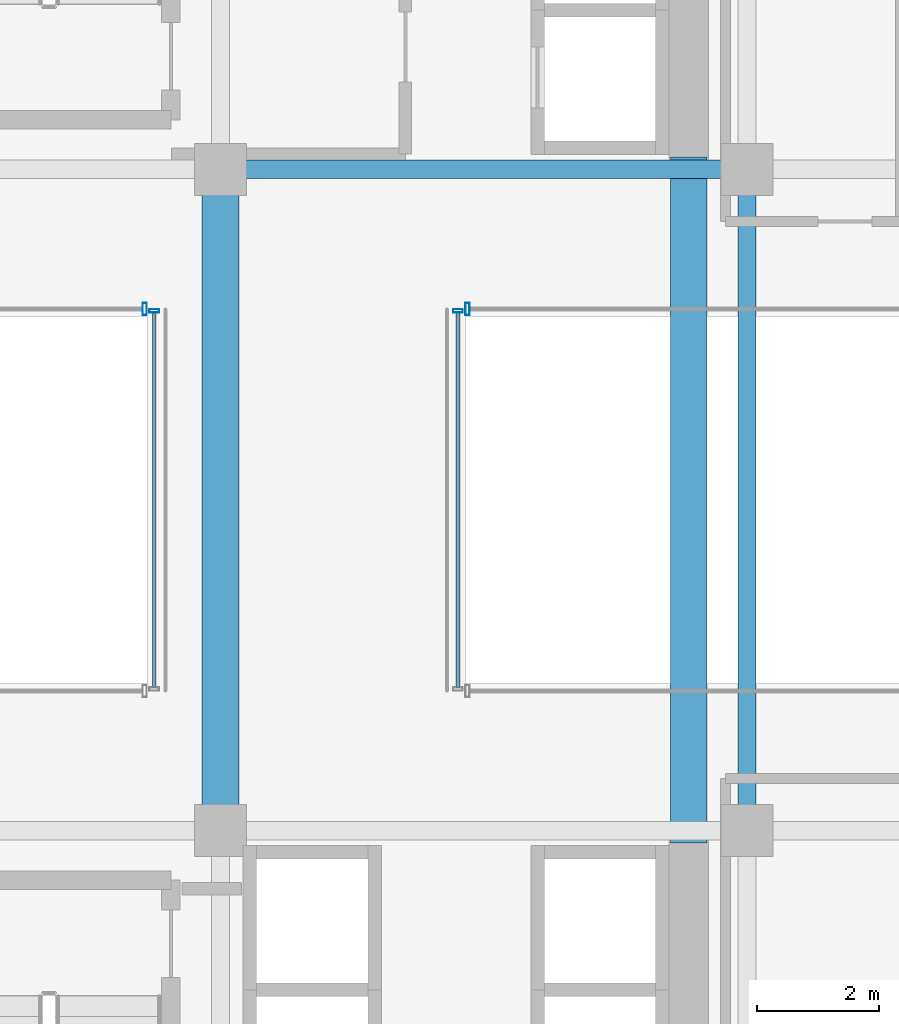
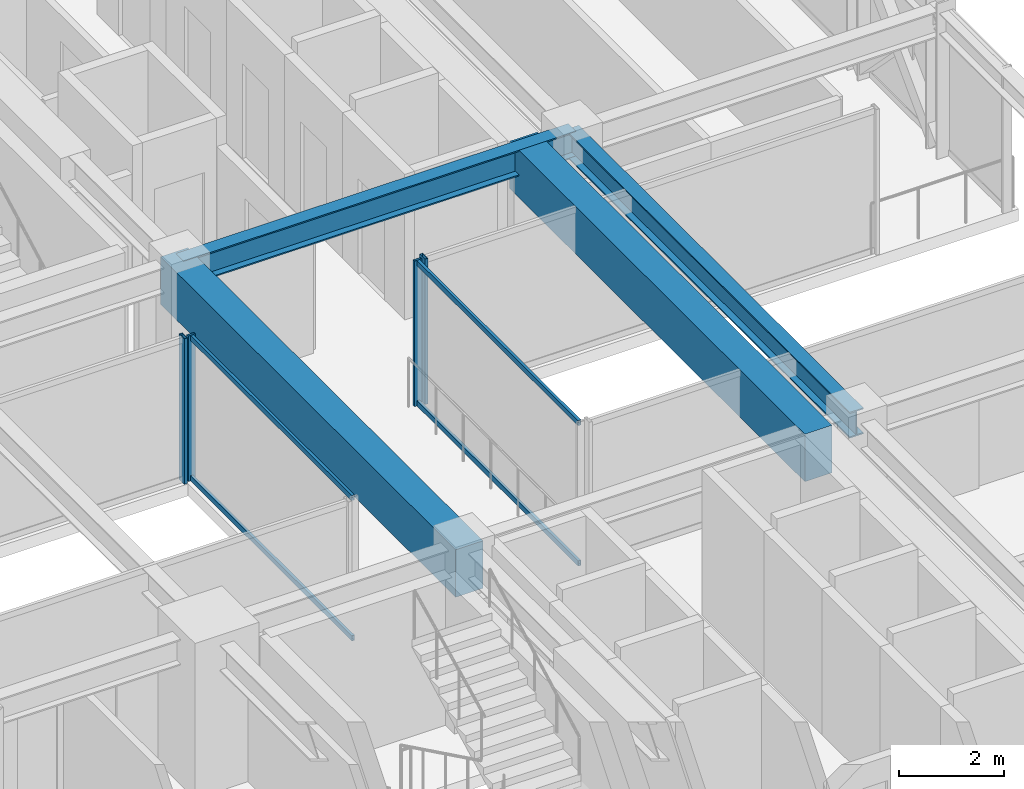
# One storey, part 21 of 47: 8 members, 4 beams, 4 elements without a shape of their own.
"""IFC4 building model written with IfcOpenShell, lengths in metres."""

from ifc_helpers import new_model, si_unit, direction, frame, origin, origin_2d, place, context, subcontext, project, spatial, rectangle, hollow_rectangle, i_section, extrude, source, transform, mapped, material, material_profile, profile_set, type_object, element, aggregate, save


model = new_model("IFC4")

# Units and contexts
model_context = context("Model", 3, precision=1e-05, world=origin(), true_north=direction((0.0, 1.0)))
body_context = subcontext(model_context, "Body", "Model", "MODEL_VIEW")
ifc_project = project(units=[si_unit("LENGTHUNIT", "METRE"), si_unit("AREAUNIT", "SQUARE_METRE"), si_unit("VOLUMEUNIT", "CUBIC_METRE"), si_unit("PLANEANGLEUNIT", "RADIAN"), si_unit("MASSUNIT", "GRAM", prefix="KILO")], contexts=[model_context])

# Site, building, storey
site_placement = place(None, origin())
site = spatial("IfcSite", under=ifc_project, at=site_placement, CompositionType="ELEMENT")
building_placement = place(site_placement, origin())
building = spatial("IfcBuilding", under=site, at=building_placement, Name="Nahalor Promenade Grand Hotel", CompositionType="ELEMENT")
storey_placement = place(building_placement, frame((0.0, 0.0, 68.89990234375)))
storey = spatial("IfcBuildingStorey", under=building, at=storey_placement, Name="L16", CompositionType="ELEMENT", Elevation=68.89990234375)

# Beams
ifc_material_1 = material(Name="Concrete B-60 (C50/60)", Category="concrete")
ifc_material_profile_1 = material_profile(ifc_material_1, rectangle(XDim=0.6, YDim=1.1, at=origin_2d()), Name="RC 600x1100")
ifc_profile_set_1 = profile_set([ifc_material_profile_1], Name="Concrete B-60 (C50/60)")
beam_type_1 = type_object("IfcBeamType", Name="Beam-Lintel-RC1100", PredefinedType="LINTEL", material=ifc_profile_set_1)
shared_shape_1 = source(origin(), body_context, "Body", "SweptSolid", [
    extrude(rectangle(XDim=0.6, YDim=1.1, at=origin_2d()), origin(), (0.0, 0.0, 1.0), 11.2001953125),
])
for number, where, z_axis, x_axis, name in (
    (1, (8.39990234375, -5.60009765625, 2.820068359375), (0.0, 1.0, 0.0), (-1.0, 0.0, 0.0), "BM-L16-LINT-W"),
    (2, (16.050048828125, -5.60009765625, 2.820068359375), (0.0, 1.0, 0.0), (-1.0, 0.0, 0.0), "BM-L16-LINT-E"),
):
    element("IfcBeam", number, at=place(storey_placement, frame(where, z_axis=z_axis, x_axis=x_axis)), inside=storey, type_object=beam_type_1, Name=name, PredefinedType="LINTEL", context=body_context, shape_type="MappedRepresentation", body=[
        mapped(shared_shape_1, transform((0.0, 0.0, 0.0), scale=1.0)),
    ])
ifc_material_2 = material(Name="Steel S355JR", Category="steel")
ifc_material_profile_2 = material_profile(ifc_material_2, i_section(OverallWidth=0.3, OverallDepth=0.6, WebThickness=0.0155, FlangeThickness=0.03, at=origin_2d()), Name="HEB 600")
ifc_profile_set_2 = profile_set([ifc_material_profile_2], Name="Steel S355JR")
beam_type_2 = type_object("IfcBeamType", Name="Beam-Girder-HEB600", PredefinedType="BEAM", material=ifc_profile_set_2)
shared_shape_2 = source(origin(), body_context, "Body", "SweptSolid", [
    extrude(i_section(OverallWidth=0.3, OverallDepth=0.6, WebThickness=0.0155, FlangeThickness=0.03, at=origin_2d()), origin(), (0.0, 0.0, 1.0), 8.60009765625),
])
beam_1_placement = place(storey_placement, frame((8.39990234375, 5.39990234375, 3.070068359375), z_axis=(1.0, 0.0, 0.0), x_axis=(0.0, 1.0, 0.0)))
element("IfcBeam", 3, at=beam_1_placement, inside=storey, type_object=beam_type_2, Name="BM-L16-GX-2-5", PredefinedType="BEAM", context=body_context, shape_type="MappedRepresentation", body=[
    mapped(shared_shape_2, transform((0.0, 0.0, 0.0), scale=1.0)),
])
shared_shape_3 = source(origin(), body_context, "Body", "SweptSolid", [
    extrude(i_section(OverallWidth=0.3, OverallDepth=0.6, WebThickness=0.0155, FlangeThickness=0.03, at=origin_2d()), origin(), (0.0, 0.0, 1.0), 10.7998046875),
])
beam_2_placement = place(storey_placement, frame((17.0, -5.39990234375, 3.070068359375), z_axis=(0.0, 1.0, 0.0), x_axis=(-1.0, 0.0, 0.0)))
element("IfcBeam", 4, at=beam_2_placement, inside=storey, type_object=beam_type_2, Name="BM-L16-GY-5-2", PredefinedType="BEAM", context=body_context, shape_type="MappedRepresentation", body=[
    mapped(shared_shape_3, transform((0.0, 0.0, 0.0), scale=1.0)),
])

# Curtain wall, members
ifc_material_3 = material(Name="Anodised Bronze Aluminium EN AW-6063 T6", Category="aluminium")
curtain_wall_type_1 = type_object("IfcCurtainWallType", Name="CW4 Low-Iron Sky-Gallery Bridge Curtain Wall", PredefinedType="USERDEFINED", material=ifc_material_3)
curtain_wall_1_placement = place(storey_placement, origin())
curtain_wall_1 = element("IfcCurtainWall", 5, at=curtain_wall_1_placement, inside=storey, type_object=curtain_wall_type_1, Name="L16 Curtain Wall CW-L16-BRG-W", ObjectType="UNITISED_CURTAIN_WALL", PredefinedType="USERDEFINED")
ifc_material_profile_3 = material_profile(ifc_material_3, hollow_rectangle(XDim=0.06, YDim=0.12, WallThickness=0.004, at=origin_2d()), Name="CWT 60x120x4")
ifc_profile_set_3 = profile_set([ifc_material_profile_3], Name="Anodised Bronze Aluminium EN AW-6063 T6")
member_type_1 = type_object("IfcMemberType", Name="CWT4 Sky-Gallery Slim Transom 60x120", PredefinedType="USERDEFINED", material=ifc_profile_set_3)
shared_shape_4 = source(origin(), body_context, "Body", "SweptSolid", [
    extrude(hollow_rectangle(XDim=0.06, YDim=0.12, WallThickness=0.004, at=origin_2d()), origin(), (0.0, 0.0, 1.0), 6.1181640625),
])
member_1_placement = place(storey_placement, frame((7.320068359375, -3.05908203125, 0.06005859375), z_axis=(0.0, 1.0, 0.0), x_axis=(-1.0, 0.0, 0.0)))
member_1 = element("IfcMember", 6, at=member_1_placement, type_object=member_type_1, Name="CW-L16-BRG-W Transom 0-0", ObjectType="TRANSOM", PredefinedType="USERDEFINED", context=body_context, shape_type="MappedRepresentation", body=[
    mapped(shared_shape_4, transform((0.0, 0.0, 0.0), scale=1.0)),
])
member_2_placement = place(storey_placement, frame((7.320068359375, -3.05908203125, 3.31005859375), z_axis=(0.0, 1.0, 0.0), x_axis=(-1.0, 0.0, 0.0)))
member_2 = element("IfcMember", 7, at=member_2_placement, type_object=member_type_1, Name="CW-L16-BRG-W Transom 0-1", ObjectType="TRANSOM", PredefinedType="USERDEFINED", context=body_context, shape_type="MappedRepresentation", body=[
    mapped(shared_shape_4, transform((0.0, 0.0, 0.0), scale=1.0)),
])

curtain_wall_2_placement = place(storey_placement, origin())
curtain_wall_2 = element("IfcCurtainWall", 8, at=curtain_wall_2_placement, inside=storey, type_object=curtain_wall_type_1, Name="L16 Curtain Wall CW-L16-BRG-E", ObjectType="UNITISED_CURTAIN_WALL", PredefinedType="USERDEFINED")
member_3_placement = place(storey_placement, frame((12.280029296875, -3.05908203125, 0.06005859375), z_axis=(0.0, 1.0, 0.0), x_axis=(-1.0, 0.0, 0.0)))
member_3 = element("IfcMember", 9, at=member_3_placement, type_object=member_type_1, Name="CW-L16-BRG-E Transom 0-0", ObjectType="TRANSOM", PredefinedType="USERDEFINED", context=body_context, shape_type="MappedRepresentation", body=[
    mapped(shared_shape_4, transform((0.0, 0.0, 0.0), scale=1.0)),
])
member_4_placement = place(storey_placement, frame((12.280029296875, -3.05908203125, 3.31005859375), z_axis=(0.0, 1.0, 0.0), x_axis=(-1.0, 0.0, 0.0)))
member_4 = element("IfcMember", 10, at=member_4_placement, type_object=member_type_1, Name="CW-L16-BRG-E Transom 0-1", ObjectType="TRANSOM", PredefinedType="USERDEFINED", context=body_context, shape_type="MappedRepresentation", body=[
    mapped(shared_shape_4, transform((0.0, 0.0, 0.0), scale=1.0)),
])

# Curtain wall, member
curtain_wall_type_2 = type_object("IfcCurtainWallType", Name="CW3 Elliptical-Void Collar Unitised Curtain Wall", PredefinedType="USERDEFINED", material=ifc_material_3)
curtain_wall_3_placement = place(storey_placement, origin())
curtain_wall_3 = element("IfcCurtainWall", 11, at=curtain_wall_3_placement, inside=storey, type_object=curtain_wall_type_2, Name="L16 Curtain Wall CW-L16-VOID-WN1", ObjectType="UNITISED_CURTAIN_WALL", PredefinedType="USERDEFINED")
ifc_material_profile_4 = material_profile(ifc_material_3, hollow_rectangle(XDim=0.07, YDim=0.2, WallThickness=0.005, at=origin_2d()), Name="CWM 70x200x5")
ifc_profile_set_4 = profile_set([ifc_material_profile_4], Name="Anodised Bronze Aluminium EN AW-6063 T6")
member_type_2 = type_object("IfcMemberType", Name="CWM3 Void Collar Mullion 70x200", PredefinedType="MULLION", material=ifc_profile_set_4)
shared_shape_5 = source(origin(), body_context, "Body", "SweptSolid", [
    extrude(hollow_rectangle(XDim=0.07, YDim=0.2, WallThickness=0.005, at=origin_2d()), origin(), (0.0, 0.0, 1.0), 3.3701171875),
])
member_5_placement = place(storey_placement, frame((7.1650390625, 3.118896484375, 0.0), z_axis=(0.0, 0.0, 1.0), x_axis=(1.0, 0.0, 0.0)))
member_5 = element("IfcMember", 12, at=member_5_placement, type_object=member_type_2, Name="CW-L16-VOID-WN1 Mullion 3", PredefinedType="MULLION", context=body_context, shape_type="MappedRepresentation", body=[
    mapped(shared_shape_5, transform((0.0, 0.0, 0.0), scale=1.0)),
])
aggregate(curtain_wall_3, [member_5])

curtain_wall_4_placement = place(storey_placement, origin())
curtain_wall_4 = element("IfcCurtainWall", 13, at=curtain_wall_4_placement, inside=storey, type_object=curtain_wall_type_2, Name="L16 Curtain Wall CW-L16-VOID-EN1", ObjectType="UNITISED_CURTAIN_WALL", PredefinedType="USERDEFINED")
member_6_placement = place(storey_placement, frame((12.43505859375, 3.118896484375, 0.0), z_axis=(0.0, 0.0, 1.0), x_axis=(1.0, 0.0, 0.0)))
member_6 = element("IfcMember", 14, at=member_6_placement, type_object=member_type_2, Name="CW-L16-VOID-EN1 Mullion 0", PredefinedType="MULLION", context=body_context, shape_type="MappedRepresentation", body=[
    mapped(shared_shape_5, transform((0.0, 0.0, 0.0), scale=1.0)),
])
aggregate(curtain_wall_4, [member_6])

# Member
ifc_material_profile_5 = material_profile(ifc_material_3, hollow_rectangle(XDim=0.06, YDim=0.16, WallThickness=0.004, at=origin_2d()), Name="CWM 60x160x4")
ifc_profile_set_5 = profile_set([ifc_material_profile_5], Name="Anodised Bronze Aluminium EN AW-6063 T6")
member_type_3 = type_object("IfcMemberType", Name="CWM4 Sky-Gallery Slim Mullion 60x160", PredefinedType="MULLION", material=ifc_profile_set_5)
shared_shape_6 = source(origin(), body_context, "Body", "SweptSolid", [
    extrude(hollow_rectangle(XDim=0.06, YDim=0.16, WallThickness=0.004, at=origin_2d()), origin(), (0.0, 0.0, 1.0), 3.3701171875),
])
member_7_placement = place(storey_placement, frame((7.320068359375, 3.089111328125, 0.0), z_axis=(0.0, 0.0, 1.0), x_axis=(0.0, 1.0, 0.0)))
member_7 = element("IfcMember", 15, at=member_7_placement, type_object=member_type_3, Name="CW-L16-BRG-W Mullion 1", PredefinedType="MULLION", context=body_context, shape_type="MappedRepresentation", body=[
    mapped(shared_shape_6, transform((0.0, 0.0, 0.0), scale=1.0)),
])

aggregate(curtain_wall_1, [member_7, member_1, member_2])

member_8_placement = place(storey_placement, frame((12.280029296875, 3.089111328125, 0.0), z_axis=(0.0, 0.0, 1.0), x_axis=(0.0, 1.0, 0.0)))
member_8 = element("IfcMember", 16, at=member_8_placement, type_object=member_type_3, Name="CW-L16-BRG-E Mullion 1", PredefinedType="MULLION", context=body_context, shape_type="MappedRepresentation", body=[
    mapped(shared_shape_6, transform((0.0, 0.0, 0.0), scale=1.0)),
])

aggregate(curtain_wall_2, [member_8, member_3, member_4])

save(model, "model.ifc")
